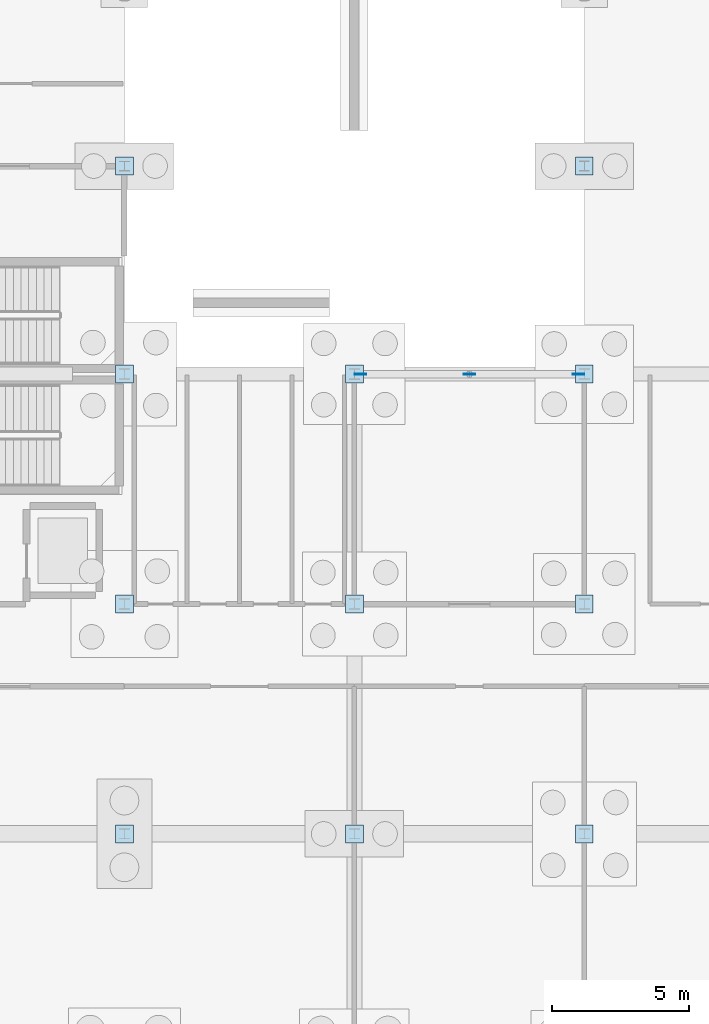
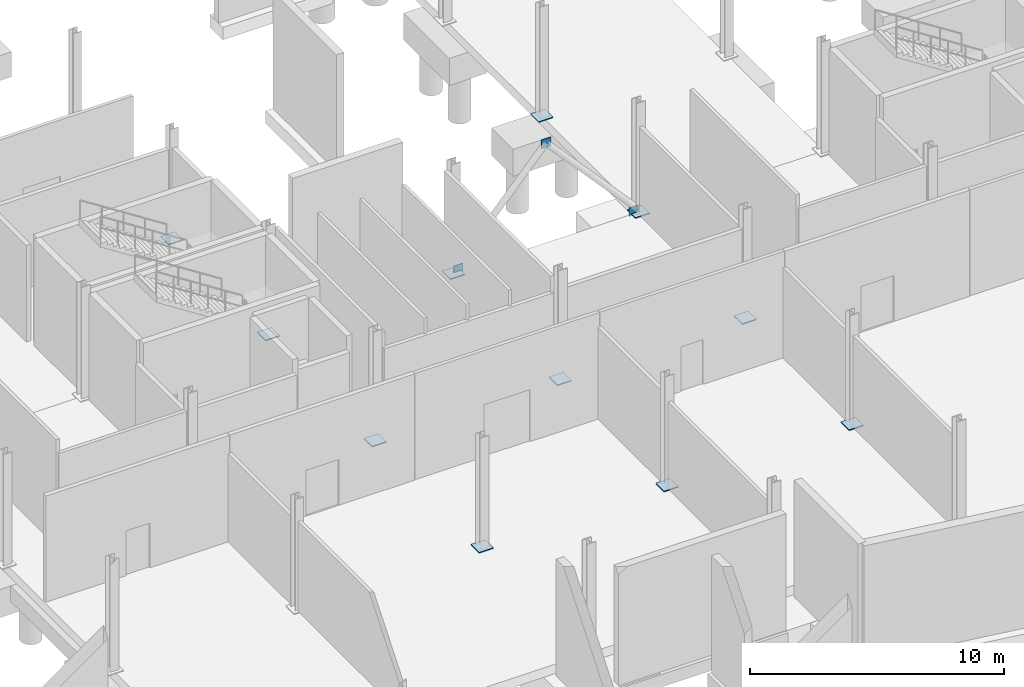
# One storey, part 35 of 61: 14 plates.
"""IFC4 building model written with IfcOpenShell, lengths in metres."""

from ifc_helpers import new_model, si_unit, direction, frame, origin, origin_2d, place, context, subcontext, project, spatial, rectangle, extrude, material, layer, layer_set, type_object, element, save


model = new_model("IFC4")

# Units and contexts
model_context = context("Model", 3, precision=1e-05, world=origin(), true_north=direction((0.0, 1.0)))
body_context = subcontext(model_context, "Body", "Model", "MODEL_VIEW")
ifc_project = project(units=[si_unit("LENGTHUNIT", "METRE"), si_unit("AREAUNIT", "SQUARE_METRE"), si_unit("VOLUMEUNIT", "CUBIC_METRE"), si_unit("PLANEANGLEUNIT", "RADIAN"), si_unit("MASSUNIT", "GRAM", prefix="KILO")], contexts=[model_context])

# Site, building, storey
site_placement = place(None, origin())
site = spatial("IfcSite", under=ifc_project, at=site_placement, CompositionType="ELEMENT")
building_placement = place(site_placement, origin())
building = spatial("IfcBuilding", under=site, at=building_placement, Name="Calvrana Isthmian Art Gallery", CompositionType="ELEMENT")
storey_placement = place(building_placement, frame((0.0, 0.0, -5.39990234375)))
storey = spatial("IfcBuildingStorey", under=building, at=storey_placement, Name="B1", CompositionType="ELEMENT", Elevation=-5.39990234375)

# Plates
ifc_material = material(Name="Steel ASTM A572 Gr 50", Category="steel")
ifc_layer_1 = layer(ifc_material, 0.0380859375, Name="Steel ASTM A572 Gr 50")
ifc_layer_set_1 = layer_set([ifc_layer_1], Name="Steel ASTM A572 Gr 50")
plate_type_1 = type_object("IfcPlateType", Name="PL-BASE-38", PredefinedType="USERDEFINED", material=ifc_layer_set_1)
for number, where, z_axis, x_axis, name in (
    (1, (38.39990234375, 54.39990234375, -0.000244140625), (0.0, 0.0, 1.0), (1.0, 0.0, 0.0), "Base plate 06/H"),
    (2, (55.199951171875, 54.39990234375, -0.000244140625), (0.0, 0.0, 1.0), (1.0, 0.0, 0.0), "Base plate 08/H"),
):
    element("IfcPlate", number, at=place(storey_placement, frame(where, z_axis=z_axis, x_axis=x_axis)), inside=storey, type_object=plate_type_1, Name=name, ObjectType="BASE PLATE", PredefinedType="USERDEFINED", context=body_context, shape_type="SweptSolid", body=[
        extrude(rectangle(XDim=0.64990234375, YDim=0.64990234375, at=origin_2d()), origin(), (0.0, 0.0, 1.0), 0.0380859375),
    ])
ifc_layer_2 = layer(ifc_material, 0.044921875, Name="Steel ASTM A572 Gr 50")
ifc_layer_set_2 = layer_set([ifc_layer_2], Name="Steel ASTM A572 Gr 50")
plate_type_2 = type_object("IfcPlateType", Name="PL-BASE-45", PredefinedType="USERDEFINED", material=ifc_layer_set_2)
for number, where, z_axis, x_axis, name in (
    (3, (38.39990234375, 30.0, 0.0), (0.0, 0.0, 1.0), (1.0, 0.0, 0.0), "Base plate 06/E"),
    (4, (38.39990234375, 38.39990234375, 0.0), (0.0, 0.0, 1.0), (1.0, 0.0, 0.0), "Base plate 06/F"),
    (5, (38.39990234375, 46.800048828125, 0.0), (0.0, 0.0, 1.0), (1.0, 0.0, 0.0), "Base plate 06/G"),
    (6, (46.800048828125, 30.0, 0.0), (0.0, 0.0, 1.0), (1.0, 0.0, 0.0), "Base plate 07/E"),
    (7, (46.800048828125, 38.39990234375, 0.0), (0.0, 0.0, 1.0), (1.0, 0.0, 0.0), "Base plate 07/F"),
    (8, (46.800048828125, 46.800048828125, 0.0), (0.0, 0.0, 1.0), (1.0, 0.0, 0.0), "Base plate 07/G"),
    (9, (55.199951171875, 30.0, 0.0), (0.0, 0.0, 1.0), (1.0, 0.0, 0.0), "Base plate 08/E"),
    (10, (55.199951171875, 38.39990234375, 0.0), (0.0, 0.0, 1.0), (1.0, 0.0, 0.0), "Base plate 08/F"),
    (11, (55.199951171875, 46.800048828125, 0.0), (0.0, 0.0, 1.0), (1.0, 0.0, 0.0), "Base plate 08/G"),
):
    element("IfcPlate", number, at=place(storey_placement, frame(where, z_axis=z_axis, x_axis=x_axis)), inside=storey, type_object=plate_type_2, Name=name, ObjectType="BASE PLATE", PredefinedType="USERDEFINED", context=body_context, shape_type="SweptSolid", body=[
        extrude(rectangle(XDim=0.64990234375, YDim=0.64990234375, at=origin_2d()), origin(), (0.0, 0.0, 1.0), 0.044921875),
    ])
ifc_layer_3 = layer(ifc_material, 0.031982421875, Name="Steel ASTM A572 Gr 50")
ifc_layer_set_3 = layer_set([ifc_layer_3], Name="Steel ASTM A572 Gr 50")
plate_type_3 = type_object("IfcPlateType", Name="PL-GUSSET-32", PredefinedType="USERDEFINED", material=ifc_layer_set_3)
for number, where, z_axis, x_axis, name in (
    (12, (47.02001953125, 46.800048828125, -0.06005859375), (0.0, 0.0, 1.0), (1.0, 0.0, 0.0), "Chevron brace gusset plate B1-1L"),
    (13, (51.0, 46.800048828125, 4.593994140625), (0.0, 0.0, 1.0), (1.0, 0.0, 0.0), "Chevron brace gusset plate B1-1M"),
    (14, (54.97998046875, 46.800048828125, -0.06005859375), (0.0, 0.0, 1.0), (1.0, 0.0, 0.0), "Chevron brace gusset plate B1-1R"),
):
    element("IfcPlate", number, at=place(storey_placement, frame(where, z_axis=z_axis, x_axis=x_axis)), inside=storey, type_object=plate_type_3, Name=name, ObjectType="GUSSET PLATE", PredefinedType="USERDEFINED", context=body_context, shape_type="SweptSolid", body=[
        extrude(rectangle(XDim=0.419921875, YDim=0.031982421875, at=origin_2d()), origin(), (0.0, 0.0, 1.0), 0.419921875),
    ])

save(model, "model.ifc")
